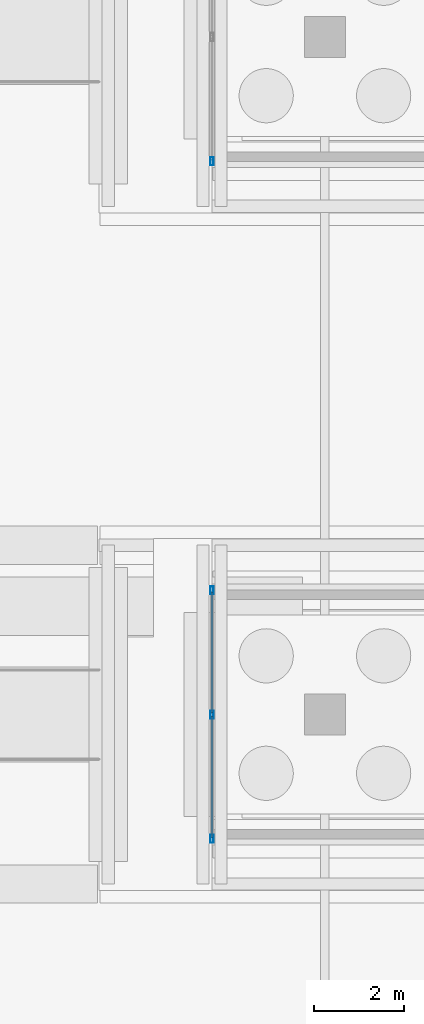
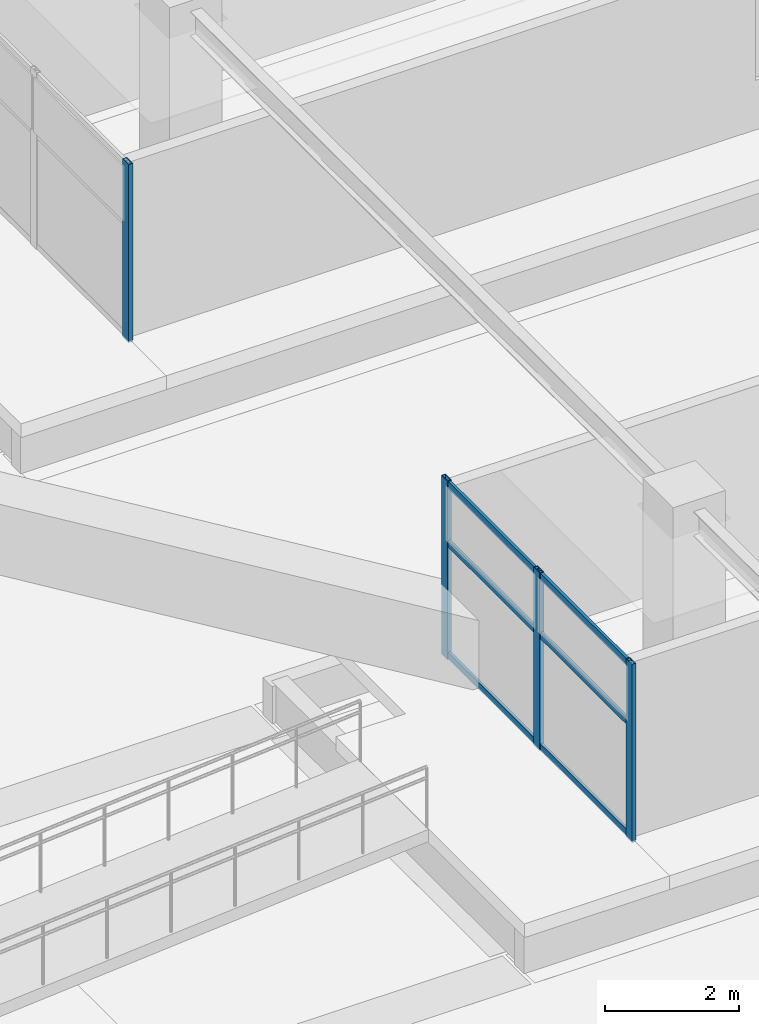
# One storey, part 85 of 160: 10 members, 2 elements without a shape of their own.
"""IFC4 building model written with IfcOpenShell, lengths in metres."""

from ifc_helpers import new_model, si_unit, direction, frame, origin, origin_2d, place, context, subcontext, project, spatial, hollow_rectangle, extrude, material, layer, layer_set, material_profile, profile_set, type_object, element, aggregate, save


model = new_model("IFC4")

# Units and contexts
model_context = context("Model", 3, precision=1e-05, world=origin(), true_north=direction((0.0, 1.0)))
body_context = subcontext(model_context, "Body", "Model", "MODEL_VIEW")
ifc_project = project(units=[si_unit("LENGTHUNIT", "METRE"), si_unit("AREAUNIT", "SQUARE_METRE"), si_unit("VOLUMEUNIT", "CUBIC_METRE"), si_unit("PLANEANGLEUNIT", "RADIAN"), si_unit("MASSUNIT", "GRAM", prefix="KILO")], contexts=[model_context])

# Site, building, storey
site_placement = place(None, origin())
site = spatial("IfcSite", under=ifc_project, at=site_placement, CompositionType="ELEMENT")
building_placement = place(site_placement, origin())
building = spatial("IfcBuilding", under=site, at=building_placement, Name="Marlcrest Central Station", CompositionType="ELEMENT")
storey_placement = place(building_placement, origin())
storey = spatial("IfcBuildingStorey", under=building, at=storey_placement, Name="L00", CompositionType="ELEMENT", Elevation=0.0)

# Curtain wall, members
ifc_material_1 = material(Name="Anodised aluminium and hurricane laminated glass", Category="aluminium")
ifc_layer = layer(ifc_material_1, 0.179931640625, Name="CW-S1")
ifc_layer_set = layer_set([ifc_layer], Name="Anodised aluminium and hurricane laminated glass")
curtain_wall_type = type_object("IfcCurtainWallType", Name="CW-S1", PredefinedType="USERDEFINED", material=ifc_layer_set)
curtain_wall_1_placement = place(storey_placement, origin())
curtain_wall_1 = element("IfcCurtainWall", 1, at=curtain_wall_1_placement, inside=storey, type_object=curtain_wall_type, Name="cw-L00-0176", ObjectType="STICK_CURTAIN_WALL", PredefinedType="USERDEFINED")
ifc_material_2 = material(Name="Anodised aluminium 6063-T6", Category="aluminium")
ifc_material_profile_1 = material_profile(ifc_material_2, hollow_rectangle(XDim=0.070068359375, YDim=0.179931640625, WallThickness=0.0048828125, at=origin_2d()), Name="AA-RHS 180x70x5")
ifc_profile_set_1 = profile_set([ifc_material_profile_1], Name="Anodised aluminium 6063-T6")
member_type_1 = type_object("IfcMemberType", Name="ML-02", PredefinedType="MULLION", material=ifc_profile_set_1)
member_1_placement = place(storey_placement, frame((141.5, 63.25, 0.885009765625), z_axis=(0.0, 0.0, 1.0), x_axis=(1.0, 0.0, 0.0)))
member_1 = element("IfcMember", 2, at=member_1_placement, type_object=member_type_1, Name="cw-L00-0176-ml-0", PredefinedType="MULLION", context=body_context, shape_type="SweptSolid", body=[
    extrude(hollow_rectangle(XDim=0.070068359375, YDim=0.179931640625, WallThickness=0.0048828125, at=origin_2d()), origin(), (0.0, 0.0, 1.0), 3.244873046875),
])
member_2_placement = place(storey_placement, frame((141.5, 66.0, 0.885009765625), z_axis=(0.0, 0.0, 1.0), x_axis=(1.0, 0.0, 0.0)))
member_2 = element("IfcMember", 3, at=member_2_placement, type_object=member_type_1, Name="cw-L00-0176-ml-1", PredefinedType="MULLION", context=body_context, shape_type="SweptSolid", body=[
    extrude(hollow_rectangle(XDim=0.070068359375, YDim=0.179931640625, WallThickness=0.0048828125, at=origin_2d()), origin(), (0.0, 0.0, 1.0), 3.244873046875),
])
member_3_placement = place(storey_placement, frame((141.5, 68.75, 0.885009765625), z_axis=(0.0, 0.0, 1.0), x_axis=(1.0, 0.0, 0.0)))
member_3 = element("IfcMember", 4, at=member_3_placement, type_object=member_type_1, Name="cw-L00-0176-ml-2", PredefinedType="MULLION", context=body_context, shape_type="SweptSolid", body=[
    extrude(hollow_rectangle(XDim=0.070068359375, YDim=0.179931640625, WallThickness=0.0048828125, at=origin_2d()), origin(), (0.0, 0.0, 1.0), 3.244873046875),
])

# Curtain wall, member
curtain_wall_2_placement = place(storey_placement, origin())
curtain_wall_2 = element("IfcCurtainWall", 5, at=curtain_wall_2_placement, inside=storey, type_object=curtain_wall_type, Name="cw-L00-0178", ObjectType="STICK_CURTAIN_WALL", PredefinedType="USERDEFINED")
member_4_placement = place(storey_placement, frame((141.5, 78.25, 0.885009765625), z_axis=(0.0, 0.0, 1.0), x_axis=(1.0, 0.0, 0.0)))
member_4 = element("IfcMember", 6, at=member_4_placement, type_object=member_type_1, Name="cw-L00-0178-ml-0", PredefinedType="MULLION", context=body_context, shape_type="SweptSolid", body=[
    extrude(hollow_rectangle(XDim=0.070068359375, YDim=0.179931640625, WallThickness=0.0048828125, at=origin_2d()), origin(), (0.0, 0.0, 1.0), 3.244873046875),
])
aggregate(curtain_wall_2, [member_4])

# Member
ifc_material_profile_2 = material_profile(ifc_material_2, hollow_rectangle(XDim=0.050048828125, YDim=0.1201171875, WallThickness=0.00390625, at=origin_2d()), Name="AA-RHS 120x50x4")
ifc_profile_set_2 = profile_set([ifc_material_profile_2], Name="Anodised aluminium 6063-T6")
member_type_2 = type_object("IfcMemberType", Name="TR-02", PredefinedType="USERDEFINED", material=ifc_profile_set_2)
member_5_placement = place(storey_placement, frame((141.5, 63.282958984375, 0.955078125), z_axis=(0.0, 1.0, 0.0), x_axis=(-1.0, 0.0, 0.0)))
member_5 = element("IfcMember", 7, at=member_5_placement, type_object=member_type_2, Name="cw-L00-0176-tr-0-sill", ObjectType="TRANSOM", PredefinedType="USERDEFINED", context=body_context, shape_type="SweptSolid", body=[
    extrude(hollow_rectangle(XDim=0.050048828125, YDim=0.1201171875, WallThickness=0.00390625, at=origin_2d()), origin(), (0.0, 0.0, 1.0), 2.68408203125),
])

member_6_placement = place(storey_placement, frame((141.5, 63.282958984375, 2.985107421875), z_axis=(0.0, 1.0, 0.0), x_axis=(-1.0, 0.0, 0.0)))
member_6 = element("IfcMember", 8, at=member_6_placement, type_object=member_type_2, Name="cw-L00-0176-tr-0-mid", ObjectType="TRANSOM", PredefinedType="USERDEFINED", context=body_context, shape_type="SweptSolid", body=[
    extrude(hollow_rectangle(XDim=0.050048828125, YDim=0.1201171875, WallThickness=0.00390625, at=origin_2d()), origin(), (0.0, 0.0, 1.0), 2.68408203125),
])

member_7_placement = place(storey_placement, frame((141.5, 63.282958984375, 4.06005859375), z_axis=(0.0, 1.0, 0.0), x_axis=(-1.0, 0.0, 0.0)))
member_7 = element("IfcMember", 9, at=member_7_placement, type_object=member_type_2, Name="cw-L00-0176-tr-0-head", ObjectType="TRANSOM", PredefinedType="USERDEFINED", context=body_context, shape_type="SweptSolid", body=[
    extrude(hollow_rectangle(XDim=0.050048828125, YDim=0.1201171875, WallThickness=0.00390625, at=origin_2d()), origin(), (0.0, 0.0, 1.0), 2.68408203125),
])

member_8_placement = place(storey_placement, frame((141.5, 66.032958984375, 0.955078125), z_axis=(0.0, 1.0, 0.0), x_axis=(-1.0, 0.0, 0.0)))
member_8 = element("IfcMember", 10, at=member_8_placement, type_object=member_type_2, Name="cw-L00-0176-tr-1-sill", ObjectType="TRANSOM", PredefinedType="USERDEFINED", context=body_context, shape_type="SweptSolid", body=[
    extrude(hollow_rectangle(XDim=0.050048828125, YDim=0.1201171875, WallThickness=0.00390625, at=origin_2d()), origin(), (0.0, 0.0, 1.0), 2.68408203125),
])

member_9_placement = place(storey_placement, frame((141.5, 66.032958984375, 2.985107421875), z_axis=(0.0, 1.0, 0.0), x_axis=(-1.0, 0.0, 0.0)))
member_9 = element("IfcMember", 11, at=member_9_placement, type_object=member_type_2, Name="cw-L00-0176-tr-1-mid", ObjectType="TRANSOM", PredefinedType="USERDEFINED", context=body_context, shape_type="SweptSolid", body=[
    extrude(hollow_rectangle(XDim=0.050048828125, YDim=0.1201171875, WallThickness=0.00390625, at=origin_2d()), origin(), (0.0, 0.0, 1.0), 2.68408203125),
])

member_10_placement = place(storey_placement, frame((141.5, 66.032958984375, 4.06005859375), z_axis=(0.0, 1.0, 0.0), x_axis=(-1.0, 0.0, 0.0)))
member_10 = element("IfcMember", 12, at=member_10_placement, type_object=member_type_2, Name="cw-L00-0176-tr-1-head", ObjectType="TRANSOM", PredefinedType="USERDEFINED", context=body_context, shape_type="SweptSolid", body=[
    extrude(hollow_rectangle(XDim=0.050048828125, YDim=0.1201171875, WallThickness=0.00390625, at=origin_2d()), origin(), (0.0, 0.0, 1.0), 2.68408203125),
])

aggregate(curtain_wall_1, [member_1, member_2, member_3, member_5, member_6, member_7, member_8, member_9, member_10])

save(model, "model.ifc")
